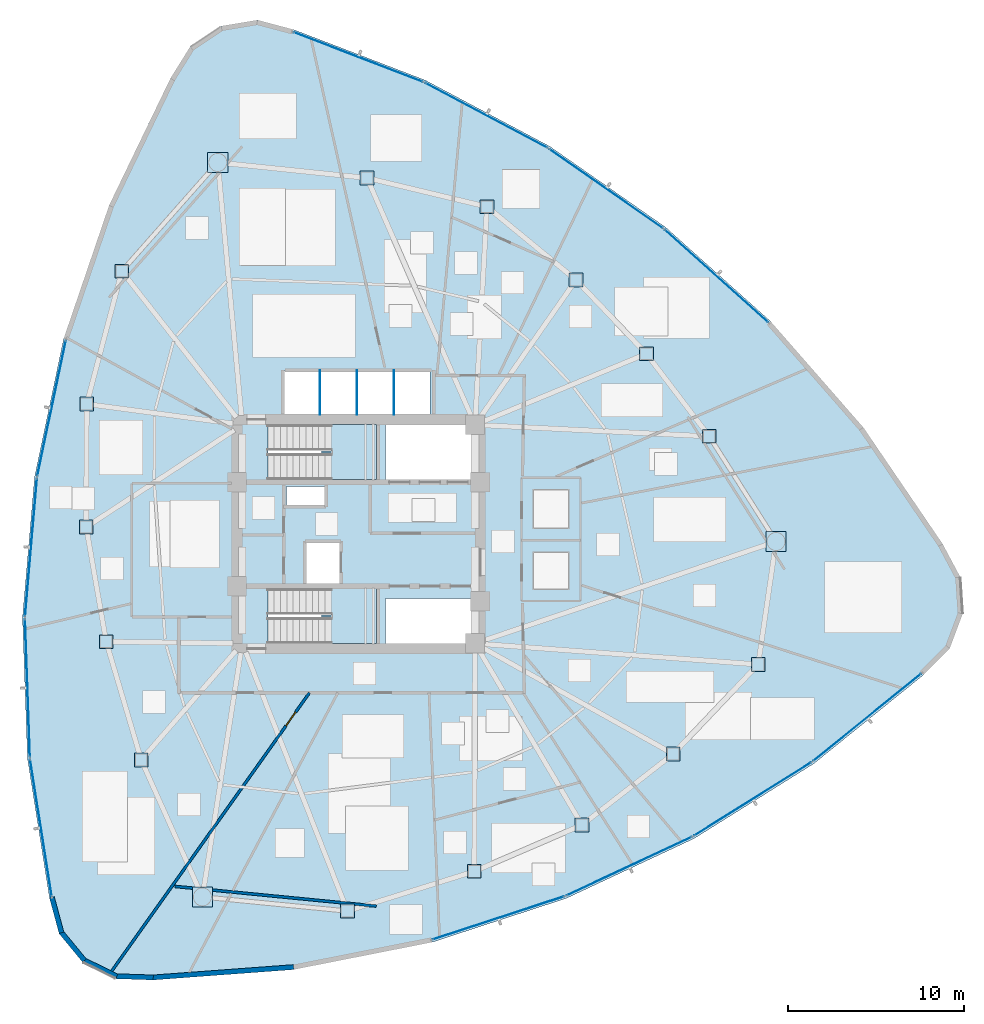
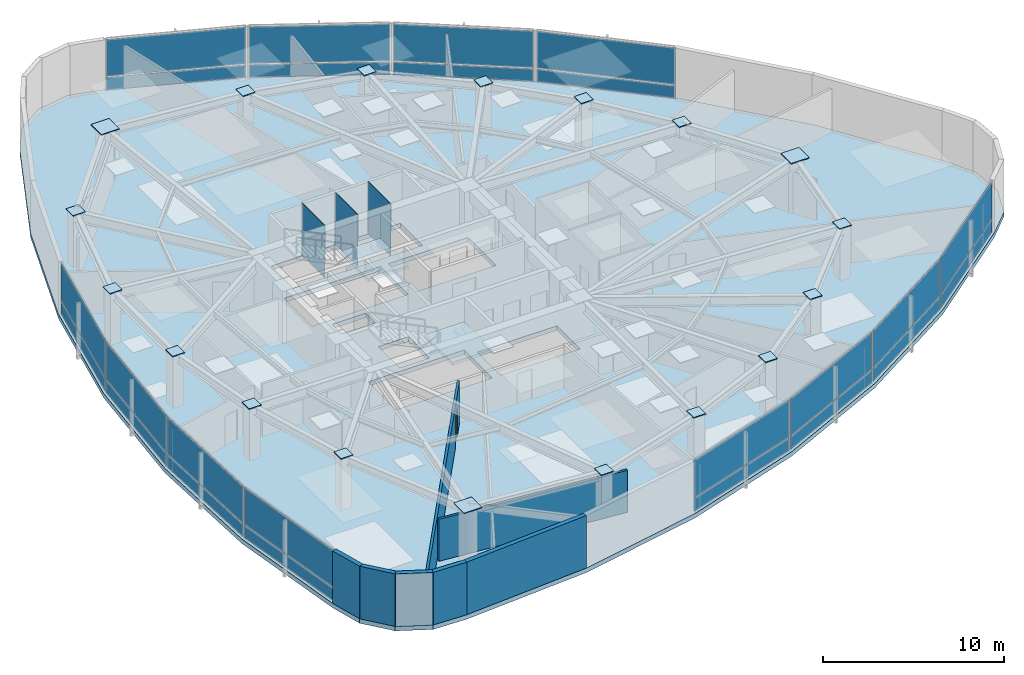
# One storey, part 10 of 17: 45 plates, 7 walls, 3 slabs, 1 door, 1 opening, 14 elements without a shape of their own.
"""IFC4 building model written with IfcOpenShell, lengths in metres."""

from ifc_helpers import new_model, si_unit, direction, frame, frame_2d, origin, origin_2d, place, context, subcontext, project, spatial, polyline, rectangle, outline, extrude, source, transform, mapped, material, layer, layer_set, type_object, type_shapes, element, fill, aggregate, save


model = new_model("IFC4")

# Units and contexts
model_context = context("Model", 3, precision=1e-05, world=origin(), true_north=direction((0.0, 1.0)))
body_context = subcontext(model_context, "Body", "Model", "MODEL_VIEW")
ifc_project = project(units=[si_unit("LENGTHUNIT", "METRE"), si_unit("AREAUNIT", "SQUARE_METRE"), si_unit("VOLUMEUNIT", "CUBIC_METRE"), si_unit("PLANEANGLEUNIT", "RADIAN"), si_unit("MASSUNIT", "GRAM", prefix="KILO")], contexts=[model_context])

# Site, building, storey
site_placement = place(None, origin())
site = spatial("IfcSite", under=ifc_project, at=site_placement, CompositionType="ELEMENT")
building_placement = place(site_placement, origin())
building = spatial("IfcBuilding", under=site, at=building_placement, Name="Tavelor Broadcast Tower", CompositionType="ELEMENT")
storey_placement = place(building_placement, frame((0.0, 0.0, 123.300048828125)))
storey = spatial("IfcBuildingStorey", under=building, at=storey_placement, Name="L28", CompositionType="ELEMENT", Elevation=123.300048828125)

# Stair, slab
ifc_material_1 = material(Name="Concrete C40/50", Category="concrete")
stair_type = type_object("IfcStairType", Name="Reinforced Concrete Protected Dogleg Stair 1450 mm", PredefinedType="HALF_TURN_STAIR", material=ifc_material_1)
stair_1_placement = place(storey_placement, origin())
stair_1 = element("IfcStair", 1, at=stair_1_placement, inside=storey, type_object=stair_type, Name="L28 Protected Core Exit Stair ST1", PredefinedType="HALF_TURN_STAIR")
ifc_layer_1 = layer(ifc_material_1, 0.199951171875)
ifc_layer_set_1 = layer_set([ifc_layer_1], Name="Concrete C40/50")
slab_type_1 = type_object("IfcSlabType", Name="Reinforced Concrete Stair Half-Landing Slab 200 mm", PredefinedType="LANDING", material=ifc_layer_set_1)
slab_1_placement = place(storey_placement, frame((0.0, 0.0, 1.724853515625)))
slab_1 = element("IfcSlab", 2, at=slab_1_placement, type_object=slab_type_1, Name="ST1 landing 1", PredefinedType="LANDING", context=body_context, shape_type="SweptSolid", body=[
    extrude(outline(polyline([(48.445068359375, 49.590087890625), (48.445068359375, 48.094970703125), (51.0048828125, 48.094970703125), (51.0048828125, 51.205078125), (48.445068359375, 51.205078125), (48.445068359375, 49.7099609375), (47.905029296875, 49.7099609375), (47.905029296875, 49.590087890625), (48.445068359375, 49.590087890625)])), origin(), (0.0, 0.0, 1.0), 0.2001953125),
])
aggregate(stair_1, [slab_1])

stair_2_placement = place(storey_placement, origin())
stair_2 = element("IfcStair", 3, at=stair_2_placement, inside=storey, type_object=stair_type, Name="L28 Protected Core Exit Stair ST2", PredefinedType="HALF_TURN_STAIR")
slab_2_placement = place(storey_placement, frame((0.0, 0.0, 1.724853515625)))
slab_2 = element("IfcSlab", 4, at=slab_2_placement, type_object=slab_type_1, Name="ST2 landing 1", PredefinedType="LANDING", context=body_context, shape_type="SweptSolid", body=[
    extrude(outline(polyline([(48.445068359375, 40.2900390625), (48.445068359375, 38.794921875), (51.0048828125, 38.794921875), (51.0048828125, 41.905029296875), (48.445068359375, 41.905029296875), (48.445068359375, 40.409912109375), (47.905029296875, 40.409912109375), (47.905029296875, 40.2900390625), (48.445068359375, 40.2900390625)])), origin(), (0.0, 0.0, 1.0), 0.2001953125),
])
aggregate(stair_2, [slab_2])

# Slab
ifc_layer_2 = layer(ifc_material_1, 0.300048828125)
ifc_layer_set_2 = layer_set([ifc_layer_2], Name="Concrete C40/50")
slab_type_2 = type_object("IfcSlabType", Name="Tower Composite Floor Slab 300 mm", PredefinedType="FLOOR", material=ifc_layer_set_2)
slab_3_placement = place(storey_placement, frame((0.0, 0.0, -0.300048828125)))
element("IfcSlab", 5, at=slab_3_placement, inside=storey, type_object=slab_type_2, Name="L28 Structural Floor Slab", PredefinedType="FLOOR", context=body_context, shape_type="SweptSolid", body=[
    extrude(outline(polyline([(46.29833984375, 73.620849609375), (44.265869140625, 74.159912109375), (42.19140625, 73.814453125), (40.443115234375, 72.646240234375), (39.330322265625, 70.862060546875), (35.849609375, 63.654296875), (33.266845703125, 56.07861328125), (31.619873046875, 48.245849609375), (30.9326171875, 40.271240234375), (31.215576171875, 32.272216796875), (32.46435546875, 24.3662109375), (33.013916015625, 22.33642578125), (34.35009765625, 20.712646484375), (36.236083984375, 19.78271484375), (38.337646484375, 19.711181640625), (46.320068359375, 20.300537109375), (54.17236328125, 21.851806640625), (61.779296875, 24.341796875), (69.02880859375, 27.73388671875), (75.814697265625, 31.978515625), (82.037109375, 37.012939453125), (83.520263671875, 38.50390625), (84.25830078125, 40.472900390625), (84.120849609375, 42.571044921875), (83.132080078125, 44.427001953125), (78.63037109375, 51.044921875), (73.36083984375, 57.06982421875), (67.40087890625, 62.41259765625), (60.83837890625, 66.994873046875), (53.76953125, 70.74951171875), (46.29833984375, 73.620849609375)]), holes=[polyline([(56.60009765625, 41.35009765625), (56.60009765625, 38.800048828125), (51.52001953125, 38.800048828125), (51.52001953125, 41.35009765625), (56.60009765625, 41.35009765625)]), polyline([(50.99609375, 38.803955078125), (44.85400390625, 38.803955078125), (44.85400390625, 41.89599609375), (50.99609375, 41.89599609375), (50.99609375, 38.803955078125)]), polyline([(47.050048828125, 42.199951171875), (47.050048828125, 44.550048828125), (48.949951171875, 44.550048828125), (48.949951171875, 42.199951171875), (47.050048828125, 42.199951171875)]), polyline([(48.050048828125, 46.64990234375), (45.89990234375, 46.64990234375), (45.89990234375, 47.699951171875), (48.050048828125, 47.699951171875), (48.050048828125, 46.64990234375)]), polyline([(50.99609375, 48.10400390625), (44.85400390625, 48.10400390625), (44.85400390625, 51.196044921875), (50.99609375, 51.196044921875), (50.99609375, 48.10400390625)]), polyline([(56.60009765625, 48.10009765625), (51.52001953125, 48.10009765625), (51.52001953125, 51.199951171875), (56.60009765625, 51.199951171875), (56.60009765625, 48.10009765625)]), polyline([(54.050048828125, 51.800048828125), (45.800048828125, 51.800048828125), (45.800048828125, 54.25), (54.050048828125, 54.25), (54.050048828125, 51.800048828125)])]), origin(), (0.0, 0.0, 1.0), 0.300048828125),
])

# Plates
ifc_material_2 = material(Name="Steel S460", Category="steel")
ifc_layer_3 = layer(ifc_material_2, 0.050048828125)
ifc_layer_set_3 = layer_set([ifc_layer_3], Name="Steel S460")
plate_type_1 = type_object("IfcPlateType", Name="Tube Hollow-End Cap Plate KN05 700x700x50", PredefinedType="USERDEFINED", material=ifc_layer_set_3)
shared_shape_1 = source(origin(), body_context, "Body", "SweptSolid", [
    extrude(rectangle(XDim=1.14697265625, YDim=1.14697265625, at=origin_2d()), origin(), (0.0, 0.0, 1.0), 0.054931640625),
])
for number, where, z_axis, x_axis, name in (
    (6, (42.01123046875, 66.080078125, 3.5224609375), (0.0, 0.0, 1.0), (1.0, 0.0, 0.0), "L28 Hollow End Cap Plate KN05 #801"),
    (7, (41.138671875, 24.423828125, 3.5224609375), (0.0, 0.0, 1.0), (1.0, 0.0, 0.0), "L28 Hollow End Cap Plate KN05 #807"),
    (8, (73.676025390625, 44.57958984375, 3.5224609375), (0.0, 0.0, 1.0), (1.0, 0.0, 0.0), "L28 Hollow End Cap Plate KN05 #813"),
):
    element("IfcPlate", number, at=place(storey_placement, frame(where, z_axis=z_axis, x_axis=x_axis)), inside=storey, type_object=plate_type_1, Name=name, ObjectType="CAP PLATE", PredefinedType="USERDEFINED", context=body_context, shape_type="MappedRepresentation", body=[
        mapped(shared_shape_1, transform((0.0, 0.0, 0.0), scale=1.0)),
    ])
shared_shape_2 = source(origin(), body_context, "Body", "SweptSolid", [
    extrude(rectangle(XDim=0.780029296875, YDim=0.780029296875, at=origin_2d()), origin(), (0.0, 0.0, 1.0), 0.054931640625),
])
type_shapes(plate_type_1, [shared_shape_1, shared_shape_2])
for number, where, z_axis, x_axis, name in (
    (9, (36.567626953125, 59.91064453125, 3.5224609375), (0.0, 0.0, 1.0), (1.0, 0.0, 0.0), "L28 Hollow End Cap Plate KN05 #802"),
    (10, (34.5751953125, 52.37939453125, 3.5224609375), (0.0, 0.0, 1.0), (1.0, 0.0, 0.0), "L28 Hollow End Cap Plate KN05 #803"),
    (11, (34.54638671875, 45.399169921875, 3.5224609375), (0.0, 0.0, 1.0), (1.0, 0.0, 0.0), "L28 Hollow End Cap Plate KN05 #804"),
    (12, (35.680908203125, 38.89990234375, 3.5224609375), (0.0, 0.0, 1.0), (1.0, 0.0, 0.0), "L28 Hollow End Cap Plate KN05 #805"),
    (13, (37.668212890625, 32.1904296875, 3.5224609375), (0.0, 0.0, 1.0), (1.0, 0.0, 0.0), "L28 Hollow End Cap Plate KN05 #806"),
    (14, (49.366455078125, 23.618896484375, 3.5224609375), (0.0, 0.0, 1.0), (1.0, 0.0, 0.0), "L28 Hollow End Cap Plate KN05 #808"),
    (15, (56.56103515625, 25.872802734375, 3.5224609375), (0.0, 0.0, 1.0), (1.0, 0.0, 0.0), "L28 Hollow End Cap Plate KN05 #809"),
    (16, (62.669189453125, 28.503173828125, 3.5224609375), (0.0, 0.0, 1.0), (1.0, 0.0, 0.0), "L28 Hollow End Cap Plate KN05 #810"),
    (17, (67.84228515625, 32.53173828125, 3.5224609375), (0.0, 0.0, 1.0), (1.0, 0.0, 0.0), "L28 Hollow End Cap Plate KN05 #811"),
    (18, (72.6591796875, 37.607421875, 3.5224609375), (0.0, 0.0, 1.0), (1.0, 0.0, 0.0), "L28 Hollow End Cap Plate KN05 #812"),
    (19, (69.885986328125, 50.544189453125, 3.5224609375), (0.0, 0.0, 1.0), (1.0, 0.0, 0.0), "L28 Hollow End Cap Plate KN05 #814"),
    (20, (66.322021484375, 55.228759765625, 3.5224609375), (0.0, 0.0, 1.0), (1.0, 0.0, 0.0), "L28 Hollow End Cap Plate KN05 #815"),
    (21, (62.330810546875, 59.416259765625, 3.5224609375), (0.0, 0.0, 1.0), (1.0, 0.0, 0.0), "L28 Hollow End Cap Plate KN05 #816"),
    (22, (57.276611328125, 63.568359375, 3.5224609375), (0.0, 0.0, 1.0), (1.0, 0.0, 0.0), "L28 Hollow End Cap Plate KN05 #817"),
    (23, (50.472412109375, 65.2021484375, 3.5224609375), (0.0, 0.0, 1.0), (1.0, 0.0, 0.0), "L28 Hollow End Cap Plate KN05 #818"),
):
    element("IfcPlate", number, at=place(storey_placement, frame(where, z_axis=z_axis, x_axis=x_axis)), inside=storey, type_object=plate_type_1, Name=name, ObjectType="CAP PLATE", PredefinedType="USERDEFINED", context=body_context, shape_type="MappedRepresentation", body=[
        mapped(shared_shape_2, transform((0.0, 0.0, 0.0), scale=1.0)),
    ])
ifc_material_3 = material(Name="Steel S355", Category="steel")
ifc_layer_4 = layer(ifc_material_3, 0.011962890625)
ifc_layer_set_4 = layer_set([ifc_layer_4], Name="Steel S355")
plate_type_2 = type_object("IfcPlateType", Name="Hoistway Steel Separator Screen 12 mm", PredefinedType="SHEET", material=ifc_layer_set_4)
shared_shape_3 = source(origin(), body_context, "Body", "SweptSolid", [
    extrude(rectangle(XDim=0.02001953125, YDim=2.52001953125, at=origin_2d()), origin(), (0.0, 0.0, 1.0), 3.550048828125),
])
type_shapes(plate_type_2, [shared_shape_3])
for number, where, z_axis, x_axis, name in (
    (24, (47.800048828125, 53.0400390625, 0.0), (0.0, 0.0, 1.0), (1.0, 0.0, 0.0), "L28 High-Rise Hoistway Separator Screen 1"),
    (25, (49.89990234375, 53.0400390625, 0.0), (0.0, 0.0, 1.0), (1.0, 0.0, 0.0), "L28 High-Rise Hoistway Separator Screen 2"),
    (26, (52.0, 53.0400390625, 0.0), (0.0, 0.0, 1.0), (1.0, 0.0, 0.0), "L28 High-Rise Hoistway Separator Screen 3"),
):
    element("IfcPlate", number, at=place(storey_placement, frame(where, z_axis=z_axis, x_axis=x_axis)), inside=storey, type_object=plate_type_2, Name=name, PredefinedType="SHEET", context=body_context, shape_type="MappedRepresentation", body=[
        mapped(shared_shape_3, transform((0.0, 0.0, 0.0), scale=1.0)),
    ])

# Curtain wall, plates
ifc_material_4 = material(Name="Architectural Anodized Aluminium", Category="aluminium")
ifc_layer_5 = layer(ifc_material_4, 0.18994140625)
ifc_layer_set_5 = layer_set([ifc_layer_5], Name="Architectural Anodized Aluminium")
curtain_wall_type = type_object("IfcCurtainWallType", Name="Tower Mid-Zone Acoustic Curtain Wall CW03", PredefinedType="NOTDEFINED", material=ifc_layer_set_5)
curtain_wall_1_placement = place(storey_placement, origin())
curtain_wall_1 = element("IfcCurtainWall", 27, at=curtain_wall_1_placement, inside=storey, type_object=curtain_wall_type, Name="L28 Curtain Wall CW03 Run 277", PredefinedType="NOTDEFINED")
ifc_material_5 = material(Name="Solar Control Double Glazing 30 mm", Category="glass")
ifc_layer_6 = layer(ifc_material_5, 0.030029296875)
ifc_layer_set_6 = layer_set([ifc_layer_6], Name="Solar Control Double Glazing 30 mm")
plate_type_3 = type_object("IfcPlateType", Name="CW03 Insulated Vision Glazing Panel 30 mm", PredefinedType="CURTAIN_PANEL", material=ifc_layer_set_6)
shared_shape_4 = source(origin(), body_context, "Body", "SweptSolid", [
    extrude(rectangle(XDim=7.8359375, YDim=0.030029296875, at=origin_2d()), origin(), (0.0, 0.0, 1.0), 0.847900390625),
])
plate_1_placement = place(storey_placement, frame((32.581787109375, 52.140625, 0.06787109375), z_axis=(0.0, 0.0, 1.0), x_axis=(-0.205782256789, -0.978597804407, 0.0)))
plate_1 = element("IfcPlate", 28, at=plate_1_placement, type_object=plate_type_3, Name="CW03 panel 1.1", PredefinedType="CURTAIN_PANEL", context=body_context, shape_type="MappedRepresentation", body=[
    mapped(shared_shape_4, transform((0.0, 0.0, 0.0), scale=1.0)),
])
shared_shape_5 = source(origin(), body_context, "Body", "SweptSolid", [
    extrude(rectangle(XDim=7.8359375, YDim=0.030029296875, at=origin_2d()), origin(), (0.0, 0.0, 1.0), 2.498046875),
])
plate_2_placement = place(storey_placement, frame((32.581787109375, 52.140625, 0.98388671875), z_axis=(0.0, 0.0, 1.0), x_axis=(-0.205782256789, -0.978597804407, 0.0)))
plate_2 = element("IfcPlate", 29, at=plate_2_placement, type_object=plate_type_3, Name="CW03 panel 1.2", PredefinedType="CURTAIN_PANEL", context=body_context, shape_type="MappedRepresentation", body=[
    mapped(shared_shape_5, transform((0.0, 0.0, 0.0), scale=1.0)),
])
aggregate(curtain_wall_1, [plate_1, plate_2])

# Curtain wall, plate
curtain_wall_2_placement = place(storey_placement, origin())
curtain_wall_2 = element("IfcCurtainWall", 30, at=curtain_wall_2_placement, inside=storey, type_object=curtain_wall_type, Name="L28 Curtain Wall CW03 Run 278", PredefinedType="NOTDEFINED")
shared_shape_6 = source(origin(), body_context, "Body", "SweptSolid", [
    extrude(rectangle(XDim=7.821044921875, YDim=0.030029296875, at=origin_2d()), origin(), (0.0, 0.0, 1.0), 0.847900390625),
])
plate_3_placement = place(storey_placement, frame((31.415771484375, 44.24658203125, 0.06787109375), z_axis=(0.0, 0.0, 1.0), x_axis=(-0.085860596646, -0.99630716044, 0.0)))
plate_3 = element("IfcPlate", 31, at=plate_3_placement, type_object=plate_type_3, Name="CW03 panel 1.1", PredefinedType="CURTAIN_PANEL", context=body_context, shape_type="MappedRepresentation", body=[
    mapped(shared_shape_6, transform((0.0, 0.0, 0.0), scale=1.0)),
])

curtain_wall_3_placement = place(storey_placement, origin())
curtain_wall_3 = element("IfcCurtainWall", 32, at=curtain_wall_3_placement, inside=storey, type_object=curtain_wall_type, Name="L28 Curtain Wall CW03 Run 282", PredefinedType="NOTDEFINED")
plate_4_placement = place(storey_placement, frame((65.3447265625, 26.16455078125, 0.06787109375), z_axis=(0.0, 0.0, 1.0), x_axis=(0.905754691774, 0.423802357627, 0.0)))
plate_4 = element("IfcPlate", 33, at=plate_4_placement, type_object=plate_type_3, Name="CW03 panel 1.1", PredefinedType="CURTAIN_PANEL", context=body_context, shape_type="MappedRepresentation", body=[
    mapped(shared_shape_6, transform((0.0, 0.0, 0.0), scale=1.0)),
])

curtain_wall_4_placement = place(storey_placement, origin())
curtain_wall_4 = element("IfcCurtainWall", 34, at=curtain_wall_4_placement, inside=storey, type_object=curtain_wall_type, Name="L28 Curtain Wall CW03 Run 283", PredefinedType="NOTDEFINED")
plate_5_placement = place(storey_placement, frame((72.34765625, 29.974853515625, 0.06787109375), z_axis=(0.0, 0.0, 1.0), x_axis=(0.847814680501, 0.530292624432, 0.0)))
plate_5 = element("IfcPlate", 35, at=plate_5_placement, type_object=plate_type_3, Name="CW03 panel 1.1", PredefinedType="CURTAIN_PANEL", context=body_context, shape_type="MappedRepresentation", body=[
    mapped(shared_shape_6, transform((0.0, 0.0, 0.0), scale=1.0)),
])

curtain_wall_5_placement = place(storey_placement, origin())
curtain_wall_5 = element("IfcCurtainWall", 36, at=curtain_wall_5_placement, inside=storey, type_object=curtain_wall_type, Name="L28 Curtain Wall CW03 Run 286", PredefinedType="NOTDEFINED")
plate_6_placement = place(storey_placement, frame((64.03955078125, 64.589111328125, 0.06787109375), z_axis=(0.0, 0.0, 1.0), x_axis=(-0.819904435029, 0.572500408226, 0.0)))
plate_6 = element("IfcPlate", 37, at=plate_6_placement, type_object=plate_type_3, Name="CW03 panel 1.1", PredefinedType="CURTAIN_PANEL", context=body_context, shape_type="MappedRepresentation", body=[
    mapped(shared_shape_6, transform((0.0, 0.0, 0.0), scale=1.0)),
])

curtain_wall_6_placement = place(storey_placement, origin())
curtain_wall_6 = element("IfcCurtainWall", 38, at=curtain_wall_6_placement, inside=storey, type_object=curtain_wall_type, Name="L28 Curtain Wall CW03 Run 287", PredefinedType="NOTDEFINED")
plate_7_placement = place(storey_placement, frame((57.23828125, 68.74853515625, 0.06787109375), z_axis=(0.0, 0.0, 1.0), x_axis=(-0.883162902639, 0.469066399779, 0.0)))
plate_7 = element("IfcPlate", 39, at=plate_7_placement, type_object=plate_type_3, Name="CW03 panel 1.1", PredefinedType="CURTAIN_PANEL", context=body_context, shape_type="MappedRepresentation", body=[
    mapped(shared_shape_6, transform((0.0, 0.0, 0.0), scale=1.0)),
])

# Plate
shared_shape_7 = source(origin(), body_context, "Body", "SweptSolid", [
    extrude(rectangle(XDim=7.821044921875, YDim=0.030029296875, at=origin_2d()), origin(), (0.0, 0.0, 1.0), 2.498046875),
])
plate_8_placement = place(storey_placement, frame((31.415771484375, 44.24658203125, 0.98388671875), z_axis=(0.0, 0.0, 1.0), x_axis=(-0.085860596646, -0.99630716044, 0.0)))
plate_8 = element("IfcPlate", 40, at=plate_8_placement, type_object=plate_type_3, Name="CW03 panel 1.2", PredefinedType="CURTAIN_PANEL", context=body_context, shape_type="MappedRepresentation", body=[
    mapped(shared_shape_7, transform((0.0, 0.0, 0.0), scale=1.0)),
])

aggregate(curtain_wall_2, [plate_3, plate_8])

plate_9_placement = place(storey_placement, frame((65.3447265625, 26.16455078125, 0.98388671875), z_axis=(0.0, 0.0, 1.0), x_axis=(0.905754691774, 0.423802357627, 0.0)))
plate_9 = element("IfcPlate", 41, at=plate_9_placement, type_object=plate_type_3, Name="CW03 panel 1.2", PredefinedType="CURTAIN_PANEL", context=body_context, shape_type="MappedRepresentation", body=[
    mapped(shared_shape_7, transform((0.0, 0.0, 0.0), scale=1.0)),
])

aggregate(curtain_wall_3, [plate_4, plate_9])

plate_10_placement = place(storey_placement, frame((72.34765625, 29.974853515625, 0.98388671875), z_axis=(0.0, 0.0, 1.0), x_axis=(0.847814680501, 0.530292624432, 0.0)))
plate_10 = element("IfcPlate", 42, at=plate_10_placement, type_object=plate_type_3, Name="CW03 panel 1.2", PredefinedType="CURTAIN_PANEL", context=body_context, shape_type="MappedRepresentation", body=[
    mapped(shared_shape_7, transform((0.0, 0.0, 0.0), scale=1.0)),
])

aggregate(curtain_wall_4, [plate_5, plate_10])

plate_11_placement = place(storey_placement, frame((64.03955078125, 64.589111328125, 0.98388671875), z_axis=(0.0, 0.0, 1.0), x_axis=(-0.819904435029, 0.572500408226, 0.0)))
plate_11 = element("IfcPlate", 43, at=plate_11_placement, type_object=plate_type_3, Name="CW03 panel 1.2", PredefinedType="CURTAIN_PANEL", context=body_context, shape_type="MappedRepresentation", body=[
    mapped(shared_shape_7, transform((0.0, 0.0, 0.0), scale=1.0)),
])

aggregate(curtain_wall_5, [plate_6, plate_11])

plate_12_placement = place(storey_placement, frame((57.23828125, 68.74853515625, 0.98388671875), z_axis=(0.0, 0.0, 1.0), x_axis=(-0.883162902639, 0.469066399779, 0.0)))
plate_12 = element("IfcPlate", 44, at=plate_12_placement, type_object=plate_type_3, Name="CW03 panel 1.2", PredefinedType="CURTAIN_PANEL", context=body_context, shape_type="MappedRepresentation", body=[
    mapped(shared_shape_7, transform((0.0, 0.0, 0.0), scale=1.0)),
])

aggregate(curtain_wall_6, [plate_7, plate_12])

# Curtain wall, plates
curtain_wall_7_placement = place(storey_placement, origin())
curtain_wall_7 = element("IfcCurtainWall", 45, at=curtain_wall_7_placement, inside=storey, type_object=curtain_wall_type, Name="L28 Curtain Wall CW03 Run 279", PredefinedType="NOTDEFINED")
shared_shape_8 = source(origin(), body_context, "Body", "SweptSolid", [
    extrude(rectangle(XDim=7.8212890625, YDim=0.030029296875, at=origin_2d()), origin(), (0.0, 0.0, 1.0), 0.847900390625),
])
plate_13_placement = place(storey_placement, frame((31.214111328125, 36.276611328125, 0.06787109375), z_axis=(0.0, 0.0, 1.0), x_axis=(0.035364299293, -0.999374487535, 0.0)))
plate_13 = element("IfcPlate", 46, at=plate_13_placement, type_object=plate_type_3, Name="CW03 panel 1.1", PredefinedType="CURTAIN_PANEL", context=body_context, shape_type="MappedRepresentation", body=[
    mapped(shared_shape_8, transform((0.0, 0.0, 0.0), scale=1.0)),
])
shared_shape_9 = source(origin(), body_context, "Body", "SweptSolid", [
    extrude(rectangle(XDim=7.8212890625, YDim=0.030029296875, at=origin_2d()), origin(), (0.0, 0.0, 1.0), 2.498046875),
])
plate_14_placement = place(storey_placement, frame((31.214111328125, 36.276611328125, 0.98388671875), z_axis=(0.0, 0.0, 1.0), x_axis=(0.035364299293, -0.999374487535, 0.0)))
plate_14 = element("IfcPlate", 47, at=plate_14_placement, type_object=plate_type_3, Name="CW03 panel 1.2", PredefinedType="CURTAIN_PANEL", context=body_context, shape_type="MappedRepresentation", body=[
    mapped(shared_shape_9, transform((0.0, 0.0, 0.0), scale=1.0)),
])
aggregate(curtain_wall_7, [plate_13, plate_14])

# Curtain wall, plate
curtain_wall_8_placement = place(storey_placement, origin())
curtain_wall_8 = element("IfcCurtainWall", 48, at=curtain_wall_8_placement, inside=storey, type_object=curtain_wall_type, Name="L28 Curtain Wall CW03 Run 280", PredefinedType="NOTDEFINED")
shared_shape_10 = source(origin(), body_context, "Body", "SweptSolid", [
    extrude(rectangle(XDim=7.8369140625, YDim=0.030029296875, at=origin_2d()), origin(), (0.0, 0.0, 1.0), 0.847900390625),
])
plate_15_placement = place(storey_placement, frame((31.9794921875, 28.333251953125, 0.06787109375), z_axis=(0.0, 0.0, 1.0), x_axis=(0.156015387087, -0.98775462489, 0.0)))
plate_15 = element("IfcPlate", 49, at=plate_15_placement, type_object=plate_type_3, Name="CW03 panel 1.1", PredefinedType="CURTAIN_PANEL", context=body_context, shape_type="MappedRepresentation", body=[
    mapped(shared_shape_10, transform((0.0, 0.0, 0.0), scale=1.0)),
])

curtain_wall_9_placement = place(storey_placement, origin())
curtain_wall_9 = element("IfcCurtainWall", 50, at=curtain_wall_9_placement, inside=storey, type_object=curtain_wall_type, Name="L28 Curtain Wall CW03 Run 284", PredefinedType="NOTDEFINED")
plate_16_placement = place(storey_placement, frame((78.84423828125, 34.609619140625, 0.06787109375), z_axis=(0.0, 0.0, 1.0), x_axis=(0.77740870163, 0.628995795399, 0.0)))
plate_16 = element("IfcPlate", 51, at=plate_16_placement, type_object=plate_type_3, Name="CW03 panel 1.1", PredefinedType="CURTAIN_PANEL", context=body_context, shape_type="MappedRepresentation", body=[
    mapped(shared_shape_10, transform((0.0, 0.0, 0.0), scale=1.0)),
])

curtain_wall_10_placement = place(storey_placement, origin())
curtain_wall_10 = element("IfcCurtainWall", 52, at=curtain_wall_10_placement, inside=storey, type_object=curtain_wall_type, Name="L28 Curtain Wall CW03 Run 288", PredefinedType="NOTDEFINED")
plate_17_placement = place(storey_placement, frame((49.976318359375, 72.057373046875, 0.06787109375), z_axis=(0.0, 0.0, 1.0), x_axis=(-0.933437381552, 0.358740372305, 0.0)))
plate_17 = element("IfcPlate", 53, at=plate_17_placement, type_object=plate_type_3, Name="CW03 panel 1.1", PredefinedType="CURTAIN_PANEL", context=body_context, shape_type="MappedRepresentation", body=[
    mapped(shared_shape_10, transform((0.0, 0.0, 0.0), scale=1.0)),
])

# Plate
shared_shape_11 = source(origin(), body_context, "Body", "SweptSolid", [
    extrude(rectangle(XDim=7.8369140625, YDim=0.030029296875, at=origin_2d()), origin(), (0.0, 0.0, 1.0), 2.498046875),
])
plate_18_placement = place(storey_placement, frame((31.9794921875, 28.333251953125, 0.98388671875), z_axis=(0.0, 0.0, 1.0), x_axis=(0.156015387087, -0.98775462489, 0.0)))
plate_18 = element("IfcPlate", 54, at=plate_18_placement, type_object=plate_type_3, Name="CW03 panel 1.2", PredefinedType="CURTAIN_PANEL", context=body_context, shape_type="MappedRepresentation", body=[
    mapped(shared_shape_11, transform((0.0, 0.0, 0.0), scale=1.0)),
])

aggregate(curtain_wall_8, [plate_15, plate_18])

plate_19_placement = place(storey_placement, frame((78.84423828125, 34.609619140625, 0.98388671875), z_axis=(0.0, 0.0, 1.0), x_axis=(0.77740870163, 0.628995795399, 0.0)))
plate_19 = element("IfcPlate", 55, at=plate_19_placement, type_object=plate_type_3, Name="CW03 panel 1.2", PredefinedType="CURTAIN_PANEL", context=body_context, shape_type="MappedRepresentation", body=[
    mapped(shared_shape_11, transform((0.0, 0.0, 0.0), scale=1.0)),
])

aggregate(curtain_wall_9, [plate_16, plate_19])

plate_20_placement = place(storey_placement, frame((49.976318359375, 72.057373046875, 0.98388671875), z_axis=(0.0, 0.0, 1.0), x_axis=(-0.933437381552, 0.358740372305, 0.0)))
plate_20 = element("IfcPlate", 56, at=plate_20_placement, type_object=plate_type_3, Name="CW03 panel 1.2", PredefinedType="CURTAIN_PANEL", context=body_context, shape_type="MappedRepresentation", body=[
    mapped(shared_shape_11, transform((0.0, 0.0, 0.0), scale=1.0)),
])

aggregate(curtain_wall_10, [plate_17, plate_20])

# Curtain wall, plate
curtain_wall_11_placement = place(storey_placement, origin())
curtain_wall_11 = element("IfcCurtainWall", 57, at=curtain_wall_11_placement, inside=storey, type_object=curtain_wall_type, Name="L28 Curtain Wall CW03 Run 281", PredefinedType="NOTDEFINED")
shared_shape_12 = source(origin(), body_context, "Body", "SweptSolid", [
    extrude(rectangle(XDim=7.836181640625, YDim=0.030029296875, at=origin_2d()), origin(), (0.0, 0.0, 1.0), 0.847900390625),
])
plate_21_placement = place(storey_placement, frame((57.925048828125, 23.227294921875, 0.06787109375), z_axis=(0.0, 0.0, 1.0), x_axis=(0.950381621337, 0.311086441082, 0.0)))
plate_21 = element("IfcPlate", 58, at=plate_21_placement, type_object=plate_type_3, Name="CW03 panel 1.1", PredefinedType="CURTAIN_PANEL", context=body_context, shape_type="MappedRepresentation", body=[
    mapped(shared_shape_12, transform((0.0, 0.0, 0.0), scale=1.0)),
])

curtain_wall_12_placement = place(storey_placement, origin())
curtain_wall_12 = element("IfcCurtainWall", 59, at=curtain_wall_12_placement, inside=storey, type_object=curtain_wall_type, Name="L28 Curtain Wall CW03 Run 285", PredefinedType="NOTDEFINED")
plate_22_placement = place(storey_placement, frame((70.29296875, 59.6318359375, 0.06787109375), z_axis=(0.0, 0.0, 1.0), x_axis=(-0.744596313574, 0.667515040888, 0.0)))
plate_22 = element("IfcPlate", 60, at=plate_22_placement, type_object=plate_type_3, Name="CW03 panel 1.1", PredefinedType="CURTAIN_PANEL", context=body_context, shape_type="MappedRepresentation", body=[
    mapped(shared_shape_12, transform((0.0, 0.0, 0.0), scale=1.0)),
])

# Plate
shared_shape_13 = source(origin(), body_context, "Body", "SweptSolid", [
    extrude(rectangle(XDim=7.836181640625, YDim=0.030029296875, at=origin_2d()), origin(), (0.0, 0.0, 1.0), 2.498046875),
])
type_shapes(plate_type_3, [shared_shape_4, shared_shape_5, shared_shape_6, shared_shape_7, shared_shape_8, shared_shape_9, shared_shape_10, shared_shape_11, shared_shape_12, shared_shape_13])
plate_23_placement = place(storey_placement, frame((57.925048828125, 23.227294921875, 0.98388671875), z_axis=(0.0, 0.0, 1.0), x_axis=(0.950381621337, 0.311086441082, 0.0)))
plate_23 = element("IfcPlate", 61, at=plate_23_placement, type_object=plate_type_3, Name="CW03 panel 1.2", PredefinedType="CURTAIN_PANEL", context=body_context, shape_type="MappedRepresentation", body=[
    mapped(shared_shape_13, transform((0.0, 0.0, 0.0), scale=1.0)),
])

aggregate(curtain_wall_11, [plate_21, plate_23])

plate_24_placement = place(storey_placement, frame((70.29296875, 59.6318359375, 0.98388671875), z_axis=(0.0, 0.0, 1.0), x_axis=(-0.744596313574, 0.667515040888, 0.0)))
plate_24 = element("IfcPlate", 62, at=plate_24_placement, type_object=plate_type_3, Name="CW03 panel 1.2", PredefinedType="CURTAIN_PANEL", context=body_context, shape_type="MappedRepresentation", body=[
    mapped(shared_shape_13, transform((0.0, 0.0, 0.0), scale=1.0)),
])

aggregate(curtain_wall_12, [plate_22, plate_24])

# Walls
ifc_material_6 = material(Name="Precast Concrete C40/50", Category="concrete")
ifc_layer_7 = layer(ifc_material_6, 0.280029296875)
ifc_layer_set_7 = layer_set([ifc_layer_7], Name="Precast Concrete C40/50")
wall_type_1 = type_object("IfcWallType", Name="Insulated Precast Terracotta Facade Wall 280 mm", PredefinedType="STANDARD", material=ifc_layer_set_7)
wall_1_placement = place(storey_placement, frame((32.6005859375, 24.3994140625, 0.0), z_axis=(0.0, 0.0, 1.0), x_axis=(0.261342717458, -0.965246074341, 0.0)))
element("IfcWall", 63, at=wall_1_placement, inside=storey, type_object=wall_type_1, Name="L28 Rounded Corner Structural Cladding Pier 11", PredefinedType="STANDARD", context=body_context, shape_type="SweptSolid", body=[
    extrude(rectangle(XDim=2.084228515625, YDim=0.280029296875, at=frame_2d((1.0419921875, 0.0))), origin(), (0.0, 0.0, 1.0), 3.550048828125),
])
wall_2_placement = place(storey_placement, frame((33.131591796875, 22.413818359375, 0.0), z_axis=(0.0, 0.0, 1.0), x_axis=(0.63535211954, -0.77222256131, 0.0)))
element("IfcWall", 64, at=wall_2_placement, inside=storey, type_object=wall_type_1, Name="L28 Rounded Corner Structural Cladding Pier 12", PredefinedType="STANDARD", context=body_context, shape_type="SweptSolid", body=[
    extrude(rectangle(XDim=2.07275390625, YDim=0.280029296875, at=frame_2d((1.036376953125, 0.0))), origin(), (0.0, 0.0, 1.0), 3.550048828125),
])
wall_3_placement = place(storey_placement, frame((34.425537109375, 20.83154296875, 0.0), z_axis=(0.0, 0.0, 1.0), x_axis=(0.896910553629, -0.442212006609, 0.0)))
element("IfcWall", 65, at=wall_3_placement, inside=storey, type_object=wall_type_1, Name="L28 Rounded Corner Structural Cladding Pier 13", PredefinedType="STANDARD", context=body_context, shape_type="SweptSolid", body=[
    extrude(rectangle(XDim=2.072509765625, YDim=0.280029296875, at=frame_2d((1.0361328125, 0.0))), origin(), (0.0, 0.0, 1.0), 3.550048828125),
])
wall_4_placement = place(storey_placement, frame((36.256103515625, 19.922119140625, 0.0), z_axis=(0.0, 0.0, 1.0), x_axis=(0.999420853075, -0.034028788374, 0.0)))
element("IfcWall", 66, at=wall_4_placement, inside=storey, type_object=wall_type_1, Name="L28 Rounded Corner Structural Cladding Pier 14", PredefinedType="STANDARD", context=body_context, shape_type="SweptSolid", body=[
    extrude(rectangle(XDim=2.094970703125, YDim=0.280029296875, at=frame_2d((1.04736328125, 0.0))), origin(), (0.0, 0.0, 1.0), 3.550048828125),
])
wall_5_placement = place(storey_placement, frame((38.320068359375, 19.85009765625, 0.0), z_axis=(0.0, 0.0, 1.0), x_axis=(0.997283600107, 0.073657456908, 0.0)))
element("IfcWall", 67, at=wall_5_placement, inside=storey, type_object=wall_type_1, Name="L28 Rounded Corner Structural Cladding Pier 15", PredefinedType="STANDARD", context=body_context, shape_type="SweptSolid", body=[
    extrude(rectangle(XDim=8.017822265625, YDim=0.280029296875, at=frame_2d((4.0087890625, 0.0))), origin(), (0.0, 0.0, 1.0), 3.550048828125),
])
ifc_material_7 = material(Name="Gypsum Acoustic Plasterboard 150 mm", Category="gypsum")
ifc_layer_8 = layer(ifc_material_7, 0.14990234375)
ifc_layer_set_8 = layer_set([ifc_layer_8], Name="Gypsum Acoustic Plasterboard 150 mm")
wall_type_2 = type_object("IfcWallType", Name="Interior Acoustic Partition Wall 150 mm", PredefinedType="PARTITIONING", material=ifc_layer_set_8)
wall_6_placement = place(storey_placement, frame((39.589111328125, 25.017578125, 0.0), z_axis=(0.0, 0.0, 1.0), x_axis=(0.99524905582, -0.097361783517, 0.0)))
element("IfcWall", 68, at=wall_6_placement, inside=storey, type_object=wall_type_2, Name="L28 Corner Tube Brace Furring Wall 2", PredefinedType="PARTITIONING", context=body_context, shape_type="SweptSolid", body=[
    extrude(rectangle(XDim=11.467041015625, YDim=0.14990234375, at=frame_2d((5.7333984375, 0.0))), origin(), (0.0, 0.0, 1.0), 2.8349609375),
])

# Wall, opening, door
wall_7_placement = place(storey_placement, frame((47.20703125, 36.0, 0.0), z_axis=(0.0, 0.0, 1.0), x_axis=(-0.579097739412, -0.815258123669, 0.0)))
wall_7 = element("IfcWall", 69, at=wall_7_placement, inside=storey, type_object=wall_type_2, Name="L28 Radial Compartment Wall 11", PredefinedType="PARTITIONING", context=body_context, shape_type="SweptSolid", body=[
    extrude(rectangle(XDim=19.514892578125, YDim=0.14990234375, at=frame_2d((9.75732421875, 0.0))), origin(), (0.0, 0.0, 1.0), 2.8349609375),
])
opening_placement = place(wall_7_placement, frame((1.35009765625, 0.0, 0.0)))
opening = element("IfcOpeningElement", 70, at=opening_placement, cuts=wall_7, Name="Opening DR18", PredefinedType="OPENING", context=body_context, shape_type="SweptSolid", body=[
    extrude(rectangle(XDim=0.949951171875, YDim=2.050048828125, at=frame_2d((0.47509765625, 1.02490234375))), frame((0.0, 0.0849609375, 0.0), z_axis=(0.0, -1.0, 0.0), x_axis=(1.0, 0.0, 0.0)), (0.0, 0.0, 1.0), 0.169921875),
])
ifc_material_8 = material(Name="Timber Solid Core Hardwood", Category="wood")
door_type = type_object("IfcDoorType", Name="Corridor Rated Compartment Door 950x2050", OperationType="NOTDEFINED", PredefinedType="DOOR", material=ifc_material_8)
door_placement = place(opening_placement, origin())
door = element("IfcDoor", 71, at=door_placement, inside=storey, type_object=door_type, Name="L28 Suite Connecting Door 4", OperationType="SINGLE_SWING_LEFT", OverallHeight=2.050048828125, OverallWidth=0.949951171875, PredefinedType="DOOR", context=body_context, shape_type="SweptSolid", body=[
    extrude(rectangle(XDim=0.949951171875, YDim=2.050048828125, at=frame_2d((0.47509765625, 1.02490234375))), frame((0.0, 0.02490234375, 0.0), z_axis=(0.0, -1.0, 0.0), x_axis=(1.0, 0.0, 0.0)), (0.0, 0.0, 1.0), 0.050048828125),
])
fill(opening, door)

save(model, "model.ifc")
